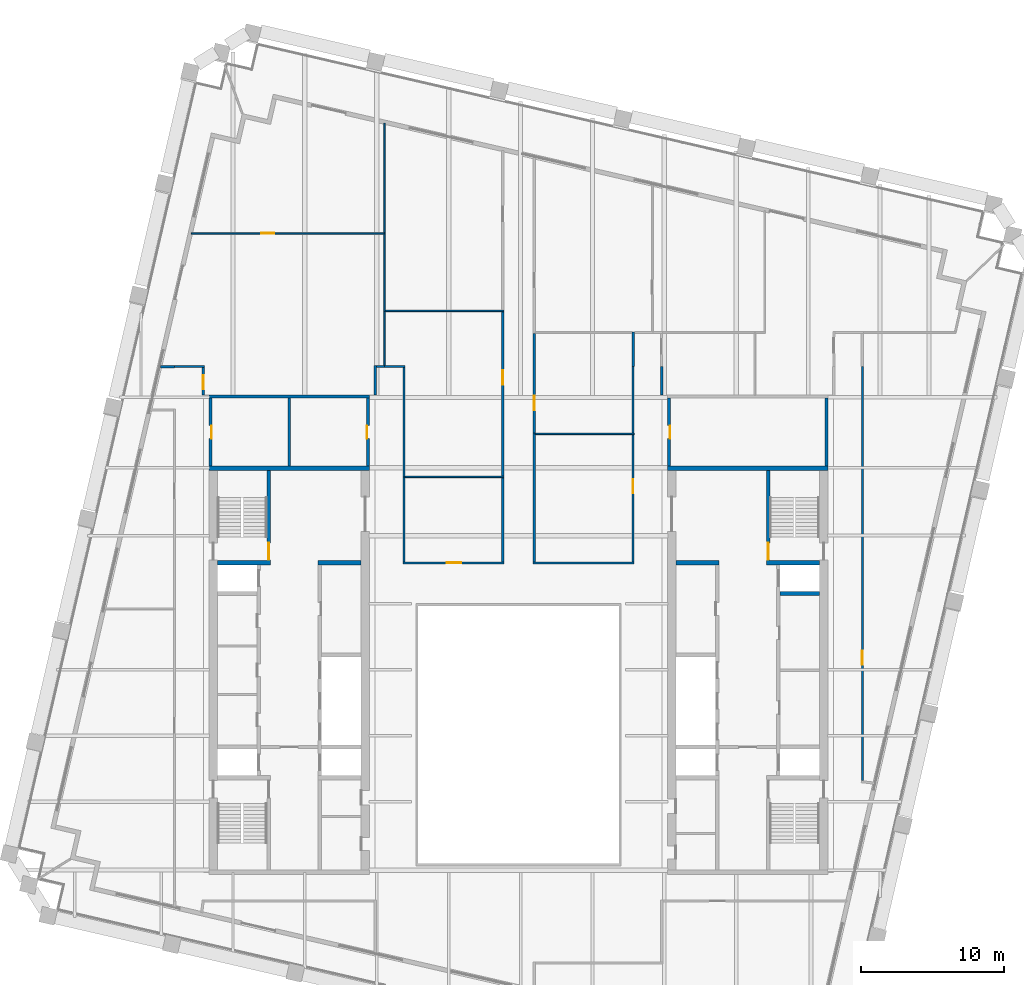
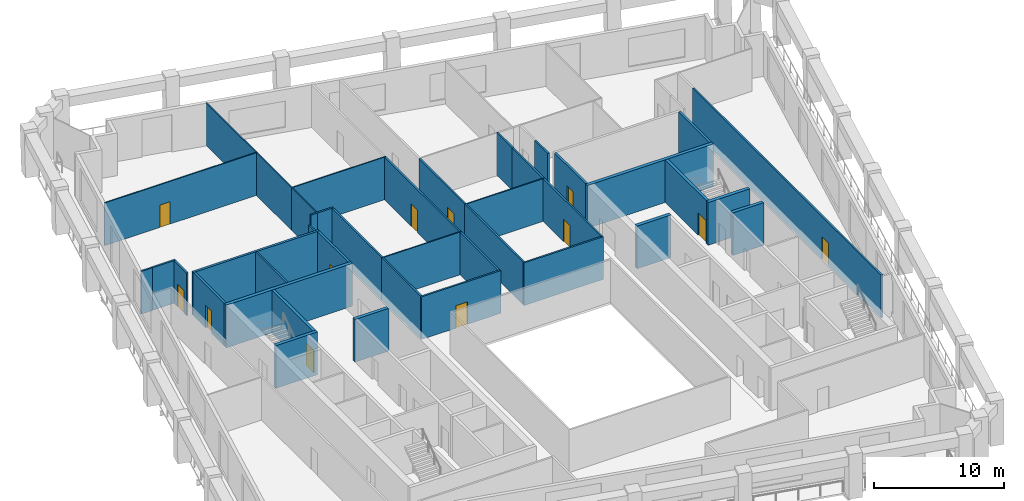
# One storey, part 7 of 10: 41 walls, 12 doors, 12 openings.
"""IFC4 building model written with IfcOpenShell, lengths in metres."""

from ifc_helpers import new_model, si_unit, direction, frame, frame_2d, origin, place, context, subcontext, project, spatial, rectangle, extrude, material, layer, layer_set, type_object, element, fill, save


model = new_model("IFC4")

# Units and contexts
model_context = context("Model", 3, precision=1e-05, world=origin(), true_north=direction((0.0, 1.0)))
body_context = subcontext(model_context, "Body", "Model", "MODEL_VIEW")
ifc_project = project(units=[si_unit("LENGTHUNIT", "METRE"), si_unit("AREAUNIT", "SQUARE_METRE"), si_unit("VOLUMEUNIT", "CUBIC_METRE"), si_unit("PLANEANGLEUNIT", "RADIAN"), si_unit("MASSUNIT", "GRAM", prefix="KILO")], contexts=[model_context])

# Site, building, storey
site_placement = place(None, origin())
site = spatial("IfcSite", under=ifc_project, at=site_placement, CompositionType="ELEMENT")
building_placement = place(site_placement, origin())
building = spatial("IfcBuilding", under=site, at=building_placement, Name="Ogive Exchange Tower", CompositionType="ELEMENT")
storey_placement = place(building_placement, frame((0.0, 0.0, 251.39990234375)))
storey = spatial("IfcBuildingStorey", under=building, at=storey_placement, Name="L54", CompositionType="ELEMENT", Elevation=251.39990234375)

# Walls
ifc_material_1 = material(Name="Gypsum board partition")
ifc_layer_1 = layer(ifc_material_1, 0.14990234375)
ifc_layer_set_1 = layer_set([ifc_layer_1], Name="Core room partition 150 gypsum")
wall_type_1 = type_object("IfcWallType", Name="Core room partition 150 gypsum", PredefinedType="PARTITIONING", material=ifc_layer_set_1)
wall_1_placement = place(storey_placement, frame((-16.0, 25.75, 0.0), z_axis=(0.0, 0.0, 1.0), x_axis=(0.0, 1.0, 0.0)))
element("IfcWall", 1, at=wall_1_placement, inside=storey, type_object=wall_type_1, Name="W annex N column wall", PredefinedType="PARTITIONING", context=body_context, shape_type="SweptSolid", body=[
    extrude(rectangle(XDim=4.75, YDim=0.14990234375, at=frame_2d((2.375, 0.0))), origin(), (0.0, 0.0, 1.0), 4.0),
])
ifc_layer_2 = layer(ifc_material_1, 0.300048828125)
ifc_layer_set_2 = layer_set([ifc_layer_2], Name="Core room partition 300 gypsum")
wall_type_2 = type_object("IfcWallType", Name="Core room partition 300 gypsum", PredefinedType="PARTITIONING", material=ifc_layer_set_2)
for number, where, z_axis, x_axis, name in (
    (2, (-14.0, 19.0, 0.0), (0.0, 0.0, 1.0), (1.0, 0.0, 0.0), "W row B room end wall 7"),
    (3, (11.0, 19.0, 0.0), (0.0, 0.0, 1.0), (1.0, 0.0, 0.0), "E row B room end wall 7"),
):
    element("IfcWall", number, at=place(storey_placement, frame(where, z_axis=z_axis, x_axis=x_axis)), inside=storey, type_object=wall_type_2, Name=name, PredefinedType="PARTITIONING", context=body_context, shape_type="SweptSolid", body=[
        extrude(rectangle(XDim=3.0, YDim=0.300048828125, at=frame_2d((1.5, 0.0))), origin(), (0.0, 0.0, 1.0), 4.0),
    ])
ifc_material_2 = material(Name="Fire partition EI 60 150")
ifc_layer_3 = layer(ifc_material_2, 0.14990234375)
ifc_layer_set_3 = layer_set([ifc_layer_3], Name="Fire partition EI 60 150")
wall_type_3 = type_object("IfcWallType", Name="Fire partition EI 60 150", PredefinedType="PARTITIONING", material=ifc_layer_set_3)
wall_2_placement = place(storey_placement, frame((-24.97900390625, 32.68994140625, 0.0), z_axis=(0.0, 0.0, 1.0), x_axis=(1.0, 0.0, 0.0)))
element("IfcWall", 4, at=wall_2_placement, inside=storey, type_object=wall_type_3, Name="L54-PWL-001", PredefinedType="PARTITIONING", context=body_context, shape_type="SweptSolid", body=[
    extrude(rectangle(XDim=0.97900390625, YDim=0.14990234375, at=frame_2d((0.489501953125, 0.0))), origin(), (0.0, 0.0, 1.0), 4.0),
])
wall_3_placement = place(storey_placement, frame((-24.0, 32.699951171875, 0.0), z_axis=(0.0, 0.0, 1.0), x_axis=(1.0, 0.0, 0.0)))
element("IfcWall", 5, at=wall_3_placement, inside=storey, type_object=wall_type_3, Name="L54-PWL-006", PredefinedType="PARTITIONING", context=body_context, shape_type="SweptSolid", body=[
    extrude(rectangle(XDim=2.074951171875, YDim=0.14990234375, at=frame_2d((1.03759765625, 0.0))), origin(), (0.0, 0.0, 1.0), 4.0),
])

# Wall, opening, door
wall_4_placement = place(storey_placement, frame((-22.0, 32.625, 0.0), z_axis=(0.0, 0.0, 1.0), x_axis=(0.0, -1.0, 0.0)))
wall_4 = element("IfcWall", 6, at=wall_4_placement, inside=storey, type_object=wall_type_3, Name="L54-PWL-010", PredefinedType="PARTITIONING", context=body_context, shape_type="SweptSolid", body=[
    extrude(rectangle(XDim=1.925048828125, YDim=0.14990234375, at=frame_2d((0.96240234375, 0.0))), origin(), (0.0, 0.0, 1.0), 4.0),
])
opening_1_placement = place(wall_4_placement, frame((0.52490234375, 0.0, 0.0)))
opening_1 = element("IfcOpeningElement", 7, at=opening_1_placement, cuts=wall_4, Name="Opening L54-I05", PredefinedType="OPENING", context=body_context, shape_type="SweptSolid", body=[
    extrude(rectangle(XDim=1.0, YDim=2.10009765625, at=frame_2d((0.5, 1.050048828125))), frame((0.0, 0.0849609375, 0.0), z_axis=(0.0, -1.0, 0.0), x_axis=(1.0, 0.0, 0.0)), (0.0, 0.0, 1.0), 0.169921875),
])
ifc_material_3 = material(Name="Fire door FD 30S 1000 x 2100")
door_type_1 = type_object("IfcDoorType", Name="Fire door FD 30S 1000 x 2100", OperationType="NOTDEFINED", PredefinedType="DOOR", material=ifc_material_3)
door_1_placement = place(opening_1_placement, origin())
door_1 = element("IfcDoor", 8, at=door_1_placement, inside=storey, type_object=door_type_1, Name="L54-IDR-005", ObjectType="DT3", OperationType="SINGLE_SWING_LEFT", OverallHeight=2.10009765625, OverallWidth=1.0, PredefinedType="DOOR", context=body_context, shape_type="SweptSolid", body=[
    extrude(rectangle(XDim=1.0, YDim=2.10009765625, at=frame_2d((0.5, 1.050048828125))), frame((0.0, 0.02490234375, 0.0), z_axis=(0.0, -1.0, 0.0), x_axis=(1.0, 0.0, 0.0)), (0.0, 0.0, 1.0), 0.050048828125),
])
fill(opening_1, door_1)

# Walls
wall_5_placement = place(storey_placement, frame((-10.0, 30.699951171875, 0.0), z_axis=(0.0, 0.0, 1.0), x_axis=(0.0, 1.0, 0.0)))
element("IfcWall", 9, at=wall_5_placement, inside=storey, type_object=wall_type_3, Name="L54-PWL-013", PredefinedType="PARTITIONING", context=body_context, shape_type="SweptSolid", body=[
    extrude(rectangle(XDim=2.074951171875, YDim=0.14990234375, at=frame_2d((1.03759765625, 0.0))), origin(), (0.0, 0.0, 1.0), 3.02001953125),
])
wall_6_placement = place(storey_placement, frame((-9.925048828125, 32.699951171875, 0.0), z_axis=(0.0, 0.0, 1.0), x_axis=(1.0, 0.0, 0.0)))
element("IfcWall", 10, at=wall_6_placement, inside=storey, type_object=wall_type_3, Name="L54-PWL-014", PredefinedType="PARTITIONING", context=body_context, shape_type="SweptSolid", body=[
    extrude(rectangle(XDim=0.5849609375, YDim=0.14990234375, at=frame_2d((0.29248046875, 0.0))), origin(), (0.0, 0.0, 1.0), 4.0),
])
wall_7_placement = place(storey_placement, frame((-9.340087890625, 32.699951171875, 0.0), z_axis=(0.0, 0.0, 1.0), x_axis=(1.0, 0.0, 0.0)))
element("IfcWall", 11, at=wall_7_placement, inside=storey, type_object=wall_type_3, Name="L54-PWL-016", PredefinedType="PARTITIONING", context=body_context, shape_type="SweptSolid", body=[
    extrude(rectangle(XDim=1.4150390625, YDim=0.14990234375, at=frame_2d((0.70751953125, 0.0))), origin(), (0.0, 0.0, 1.0), 4.0),
])

# Wall, opening, door
wall_8_placement = place(storey_placement, frame((-8.074951171875, 19.0, 0.0), z_axis=(0.0, 0.0, 1.0), x_axis=(1.0, 0.0, 0.0)))
wall_8 = element("IfcWall", 12, at=wall_8_placement, inside=storey, type_object=wall_type_3, Name="L54-PWL-020", PredefinedType="PARTITIONING", context=body_context, shape_type="SweptSolid", body=[
    extrude(rectangle(XDim=7.050048828125, YDim=0.14990234375, at=frame_2d((3.52490234375, 0.0))), origin(), (0.0, 0.0, 1.0), 4.0),
])
opening_2_placement = place(wall_8_placement, frame((3.074951171875, 0.0, 0.0)))
opening_2 = element("IfcOpeningElement", 13, at=opening_2_placement, cuts=wall_8, Name="Opening L54-I01", PredefinedType="OPENING", context=body_context, shape_type="SweptSolid", body=[
    extrude(rectangle(XDim=1.0, YDim=2.10009765625, at=frame_2d((0.5, 1.050048828125))), frame((0.0, 0.0849609375, 0.0), z_axis=(0.0, -1.0, 0.0), x_axis=(1.0, 0.0, 0.0)), (0.0, 0.0, 1.0), 0.169921875),
])
door_2_placement = place(opening_2_placement, origin())
door_2 = element("IfcDoor", 14, at=door_2_placement, inside=storey, type_object=door_type_1, Name="L54-IDR-001", ObjectType="DT3", OperationType="SINGLE_SWING_RIGHT", OverallHeight=2.10009765625, OverallWidth=1.0, PredefinedType="DOOR", context=body_context, shape_type="SweptSolid", body=[
    extrude(rectangle(XDim=1.0, YDim=2.10009765625, at=frame_2d((0.5, 1.050048828125))), frame((0.0, 0.02490234375, 0.0), z_axis=(0.0, -1.0, 0.0), x_axis=(1.0, 0.0, 0.0)), (0.0, 0.0, 1.0), 0.050048828125),
])
fill(opening_2, door_2)

# Walls
wall_9_placement = place(storey_placement, frame((-8.0, 25.0, 0.0), z_axis=(0.0, 0.0, 1.0), x_axis=(0.0, -1.0, 0.0)))
element("IfcWall", 15, at=wall_9_placement, inside=storey, type_object=wall_type_3, Name="L54-PWL-021", PredefinedType="PARTITIONING", context=body_context, shape_type="SweptSolid", body=[
    extrude(rectangle(XDim=5.925048828125, YDim=0.14990234375, at=frame_2d((2.96240234375, 0.0))), origin(), (0.0, 0.0, 1.0), 4.0),
])
wall_10_placement = place(storey_placement, frame((-8.0, 32.625, 0.0), z_axis=(0.0, 0.0, 1.0), x_axis=(0.0, -1.0, 0.0)))
element("IfcWall", 16, at=wall_10_placement, inside=storey, type_object=wall_type_3, Name="L54-PWL-023", PredefinedType="PARTITIONING", context=body_context, shape_type="SweptSolid", body=[
    extrude(rectangle(XDim=7.625, YDim=0.14990234375, at=frame_2d((3.8125, 0.0))), origin(), (0.0, 0.0, 1.0), 4.0),
])
wall_11_placement = place(storey_placement, frame((-1.10009765625, 19.074951171875, 0.0), z_axis=(0.0, 0.0, 1.0), x_axis=(0.0, 1.0, 0.0)))
element("IfcWall", 17, at=wall_11_placement, inside=storey, type_object=wall_type_3, Name="L54-PWL-024", PredefinedType="PARTITIONING", context=body_context, shape_type="SweptSolid", body=[
    extrude(rectangle(XDim=5.875, YDim=0.14990234375, at=frame_2d((2.9375, 0.0))), origin(), (0.0, 0.0, 1.0), 4.0),
])

# Wall, opening, door
wall_12_placement = place(storey_placement, frame((-1.10009765625, 25.050048828125, 0.0), z_axis=(0.0, 0.0, 1.0), x_axis=(0.0, 1.0, 0.0)))
wall_12 = element("IfcWall", 18, at=wall_12_placement, inside=storey, type_object=wall_type_3, Name="L54-PWL-025", PredefinedType="PARTITIONING", context=body_context, shape_type="SweptSolid", body=[
    extrude(rectangle(XDim=11.489990234375, YDim=0.14990234375, at=frame_2d((5.7451171875, 0.0))), origin(), (0.0, 0.0, 1.0), 4.0),
])
opening_3_placement = place(wall_12_placement, frame((6.389892578125, 0.0, 0.0)))
opening_3 = element("IfcOpeningElement", 19, at=opening_3_placement, cuts=wall_12, Name="Opening L54-I02", PredefinedType="OPENING", context=body_context, shape_type="SweptSolid", body=[
    extrude(rectangle(XDim=1.0, YDim=2.10009765625, at=frame_2d((0.5, 1.050048828125))), frame((0.0, 0.0849609375, 0.0), z_axis=(0.0, -1.0, 0.0), x_axis=(1.0, 0.0, 0.0)), (0.0, 0.0, 1.0), 0.169921875),
])
door_3_placement = place(opening_3_placement, origin())
door_3 = element("IfcDoor", 20, at=door_3_placement, inside=storey, type_object=door_type_1, Name="L54-IDR-002", ObjectType="DT3", OperationType="SINGLE_SWING_RIGHT", OverallHeight=2.10009765625, OverallWidth=1.0, PredefinedType="DOOR", context=body_context, shape_type="SweptSolid", body=[
    extrude(rectangle(XDim=1.0, YDim=2.10009765625, at=frame_2d((0.5, 1.050048828125))), frame((0.0, 0.02490234375, 0.0), z_axis=(0.0, -1.0, 0.0), x_axis=(1.0, 0.0, 0.0)), (0.0, 0.0, 1.0), 0.050048828125),
])
fill(opening_3, door_3)

# Walls
wall_13_placement = place(storey_placement, frame((1.02490234375, 19.0, 0.0), z_axis=(0.0, 0.0, 1.0), x_axis=(1.0, 0.0, 0.0)))
element("IfcWall", 21, at=wall_13_placement, inside=storey, type_object=wall_type_3, Name="L54-PWL-028", PredefinedType="PARTITIONING", context=body_context, shape_type="SweptSolid", body=[
    extrude(rectangle(XDim=7.050048828125, YDim=0.14990234375, at=frame_2d((3.52490234375, 0.0))), origin(), (0.0, 0.0, 1.0), 4.0),
])
wall_14_placement = place(storey_placement, frame((1.10009765625, 28.050048828125, 0.0), z_axis=(0.0, 0.0, 1.0), x_axis=(0.0, -1.0, 0.0)))
element("IfcWall", 22, at=wall_14_placement, inside=storey, type_object=wall_type_3, Name="L54-PWL-029", PredefinedType="PARTITIONING", context=body_context, shape_type="SweptSolid", body=[
    extrude(rectangle(XDim=8.97509765625, YDim=0.14990234375, at=frame_2d((4.487548828125, 0.0))), origin(), (0.0, 0.0, 1.0), 4.0),
])

# Wall, opening, door
wall_15_placement = place(storey_placement, frame((1.10009765625, 35.02001953125, 0.0), z_axis=(0.0, 0.0, 1.0), x_axis=(0.0, -1.0, 0.0)))
wall_15 = element("IfcWall", 23, at=wall_15_placement, inside=storey, type_object=wall_type_3, Name="L54-PWL-031", PredefinedType="PARTITIONING", context=body_context, shape_type="SweptSolid", body=[
    extrude(rectangle(XDim=6.969970703125, YDim=0.14990234375, at=frame_2d((3.48486328125, 0.0))), origin(), (0.0, 0.0, 1.0), 4.0),
])
opening_4_placement = place(wall_15_placement, frame((4.3701171875, 0.0, 0.0)))
opening_4 = element("IfcOpeningElement", 24, at=opening_4_placement, cuts=wall_15, Name="Opening L54-I10", PredefinedType="OPENING", context=body_context, shape_type="SweptSolid", body=[
    extrude(rectangle(XDim=1.0, YDim=2.10009765625, at=frame_2d((0.5, 1.050048828125))), frame((0.0, 0.0849609375, 0.0), z_axis=(0.0, -1.0, 0.0), x_axis=(1.0, 0.0, 0.0)), (0.0, 0.0, 1.0), 0.169921875),
])
door_4_placement = place(opening_4_placement, origin())
door_4 = element("IfcDoor", 25, at=door_4_placement, inside=storey, type_object=door_type_1, Name="L54-IDR-010", ObjectType="DT3", OperationType="SINGLE_SWING_LEFT", OverallHeight=2.10009765625, OverallWidth=1.0, PredefinedType="DOOR", context=body_context, shape_type="SweptSolid", body=[
    extrude(rectangle(XDim=1.0, YDim=2.10009765625, at=frame_2d((0.5, 1.050048828125))), frame((0.0, 0.02490234375, 0.0), z_axis=(0.0, -1.0, 0.0), x_axis=(1.0, 0.0, 0.0)), (0.0, 0.0, 1.0), 0.050048828125),
])
fill(opening_4, door_4)

wall_16_placement = place(storey_placement, frame((8.0, 19.074951171875, 0.0), z_axis=(0.0, 0.0, 1.0), x_axis=(0.0, 1.0, 0.0)))
wall_16 = element("IfcWall", 26, at=wall_16_placement, inside=storey, type_object=wall_type_3, Name="L54-PWL-033", PredefinedType="PARTITIONING", context=body_context, shape_type="SweptSolid", body=[
    extrude(rectangle(XDim=8.875, YDim=0.14990234375, at=frame_2d((4.4375, 0.0))), origin(), (0.0, 0.0, 1.0), 4.0),
])
opening_5_placement = place(wall_16_placement, frame((4.77490234375, 0.0, 0.0)))
opening_5 = element("IfcOpeningElement", 27, at=opening_5_placement, cuts=wall_16, Name="Opening L54-I08", PredefinedType="OPENING", context=body_context, shape_type="SweptSolid", body=[
    extrude(rectangle(XDim=1.0, YDim=2.10009765625, at=frame_2d((0.5, 1.050048828125))), frame((0.0, 0.0849609375, 0.0), z_axis=(0.0, -1.0, 0.0), x_axis=(1.0, 0.0, 0.0)), (0.0, 0.0, 1.0), 0.169921875),
])
door_5_placement = place(opening_5_placement, origin())
door_5 = element("IfcDoor", 28, at=door_5_placement, inside=storey, type_object=door_type_1, Name="L54-IDR-008", ObjectType="DT3", OperationType="SINGLE_SWING_LEFT", OverallHeight=2.10009765625, OverallWidth=1.0, PredefinedType="DOOR", context=body_context, shape_type="SweptSolid", body=[
    extrude(rectangle(XDim=1.0, YDim=2.10009765625, at=frame_2d((0.5, 1.050048828125))), frame((0.0, 0.02490234375, 0.0), z_axis=(0.0, -1.0, 0.0), x_axis=(1.0, 0.0, 0.0)), (0.0, 0.0, 1.0), 0.050048828125),
])
fill(opening_5, door_5)

# Walls
wall_17_placement = place(storey_placement, frame((8.0, 28.050048828125, 0.0), z_axis=(0.0, 0.0, 1.0), x_axis=(0.0, 1.0, 0.0)))
element("IfcWall", 29, at=wall_17_placement, inside=storey, type_object=wall_type_3, Name="L54-PWL-034", PredefinedType="PARTITIONING", context=body_context, shape_type="SweptSolid", body=[
    extrude(rectangle(XDim=4.64990234375, YDim=0.14990234375, at=frame_2d((2.324951171875, 0.0))), origin(), (0.0, 0.0, 1.0), 4.0),
])
wall_18_placement = place(storey_placement, frame((8.010009765625, 32.699951171875, 0.0), z_axis=(0.0, 0.0, 1.0), x_axis=(0.0, 1.0, 0.0)))
element("IfcWall", 30, at=wall_18_placement, inside=storey, type_object=wall_type_3, Name="L54-PWL-035", PredefinedType="PARTITIONING", context=body_context, shape_type="SweptSolid", body=[
    extrude(rectangle(XDim=2.420166015625, YDim=0.14990234375, at=frame_2d((1.2099609375, 0.0))), origin(), (0.0, 0.0, 1.0), 4.0),
])
wall_19_placement = place(storey_placement, frame((10.0, 32.699951171875, 0.0), z_axis=(0.0, 0.0, 1.0), x_axis=(0.0, -1.0, 0.0)))
element("IfcWall", 31, at=wall_19_placement, inside=storey, type_object=wall_type_3, Name="L54-PWL-044", PredefinedType="PARTITIONING", context=body_context, shape_type="SweptSolid", body=[
    extrude(rectangle(XDim=2.0, YDim=0.14990234375, at=frame_2d((1.0, 0.0))), origin(), (0.0, 0.0, 1.0), 4.0),
])

# Wall, opening, door
wall_20_placement = place(storey_placement, frame((24.0, 32.699951171875, 0.0), z_axis=(0.0, 0.0, 1.0), x_axis=(0.0, -1.0, 0.0)))
wall_20 = element("IfcWall", 32, at=wall_20_placement, inside=storey, type_object=wall_type_3, Name="L54-PWL-055", PredefinedType="PARTITIONING", context=body_context, shape_type="SweptSolid", body=[
    extrude(rectangle(XDim=28.905029296875, YDim=0.14990234375, at=frame_2d((14.45263671875, 0.0))), origin(), (0.0, 0.0, 1.0), 4.0),
])
opening_6_placement = place(wall_20_placement, frame((19.830078125, 0.0, 0.0)))
opening_6 = element("IfcOpeningElement", 33, at=opening_6_placement, cuts=wall_20, Name="Opening L54-I12", PredefinedType="OPENING", context=body_context, shape_type="SweptSolid", body=[
    extrude(rectangle(XDim=1.0, YDim=2.10009765625, at=frame_2d((0.5, 1.050048828125))), frame((0.0, 0.0849609375, 0.0), z_axis=(0.0, -1.0, 0.0), x_axis=(1.0, 0.0, 0.0)), (0.0, 0.0, 1.0), 0.169921875),
])
door_6_placement = place(opening_6_placement, origin())
door_6 = element("IfcDoor", 34, at=door_6_placement, inside=storey, type_object=door_type_1, Name="L54-IDR-012", ObjectType="DT3", OperationType="SINGLE_SWING_LEFT", OverallHeight=2.10009765625, OverallWidth=1.0, PredefinedType="DOOR", context=body_context, shape_type="SweptSolid", body=[
    extrude(rectangle(XDim=1.0, YDim=2.10009765625, at=frame_2d((0.5, 1.050048828125))), frame((0.0, 0.02490234375, 0.0), z_axis=(0.0, -1.0, 0.0), x_axis=(1.0, 0.0, 0.0)), (0.0, 0.0, 1.0), 0.050048828125),
])
fill(opening_6, door_6)

ifc_material_4 = material(Name="Partition 100 gypsum")
ifc_layer_4 = layer(ifc_material_4, 0.10009765625)
ifc_layer_set_4 = layer_set([ifc_layer_4], Name="Partition 100 gypsum")
wall_type_4 = type_object("IfcWallType", Name="Partition 100 gypsum", PredefinedType="PARTITIONING", material=ifc_layer_set_4)
wall_21_placement = place(storey_placement, frame((-22.8291015625, 42.0, 0.0), z_axis=(0.0, 0.0, 1.0), x_axis=(1.0, 0.0, 0.0)))
wall_21 = element("IfcWall", 35, at=wall_21_placement, inside=storey, type_object=wall_type_4, Name="L54-PWL-008", PredefinedType="PARTITIONING", context=body_context, shape_type="SweptSolid", body=[
    extrude(rectangle(XDim=13.5390625, YDim=0.10009765625, at=frame_2d((6.76953125, 0.0))), origin(), (0.0, 0.0, 1.0), 4.0),
])
opening_7_placement = place(wall_21_placement, frame((4.888916015625, 0.0, 0.0)))
opening_7 = element("IfcOpeningElement", 36, at=opening_7_placement, cuts=wall_21, Name="Opening L54-I06", PredefinedType="OPENING", context=body_context, shape_type="SweptSolid", body=[
    extrude(rectangle(XDim=0.89990234375, YDim=2.10009765625, at=frame_2d((0.449951171875, 1.050048828125))), frame((0.0, 0.06005859375, 0.0), z_axis=(0.0, -1.0, 0.0), x_axis=(1.0, 0.0, 0.0)), (0.0, 0.0, 1.0), 0.1201171875),
])
ifc_material_5 = material(Name="Door 900 x 2100")
door_type_2 = type_object("IfcDoorType", Name="Door 900 x 2100", OperationType="NOTDEFINED", PredefinedType="DOOR", material=ifc_material_5)
door_7_placement = place(opening_7_placement, origin())
door_7 = element("IfcDoor", 37, at=door_7_placement, inside=storey, type_object=door_type_2, Name="L54-IDR-006", ObjectType="DT1", OperationType="SINGLE_SWING_LEFT", OverallHeight=2.10009765625, OverallWidth=0.89990234375, PredefinedType="DOOR", context=body_context, shape_type="SweptSolid", body=[
    extrude(rectangle(XDim=0.89990234375, YDim=2.10009765625, at=frame_2d((0.449951171875, 1.050048828125))), frame((0.0, 0.02490234375, 0.0), z_axis=(0.0, -1.0, 0.0), x_axis=(1.0, 0.0, 0.0)), (0.0, 0.0, 1.0), 0.050048828125),
])
fill(opening_7, door_7)

# Walls
wall_22_placement = place(storey_placement, frame((-9.340087890625, 32.77490234375, 0.0), z_axis=(0.0, 0.0, 1.0), x_axis=(0.0, 1.0, 0.0)))
element("IfcWall", 38, at=wall_22_placement, inside=storey, type_object=wall_type_4, Name="L54-PWL-015", PredefinedType="PARTITIONING", context=body_context, shape_type="SweptSolid", body=[
    extrude(rectangle(XDim=3.76513671875, YDim=0.10009765625, at=frame_2d((1.882568359375, 0.0))), origin(), (0.0, 0.0, 1.0), 4.0),
])
wall_23_placement = place(storey_placement, frame((-9.340087890625, 36.5400390625, 0.0), z_axis=(0.0, 0.0, 1.0), x_axis=(0.0, 1.0, 0.0)))
element("IfcWall", 39, at=wall_23_placement, inside=storey, type_object=wall_type_4, Name="L54-PWL-017", PredefinedType="PARTITIONING", context=body_context, shape_type="SweptSolid", body=[
    extrude(rectangle(XDim=5.409912109375, YDim=0.10009765625, at=frame_2d((2.705078125, 0.0))), origin(), (0.0, 0.0, 1.0), 4.0),
])
wall_24_placement = place(storey_placement, frame((-9.2900390625, 36.590087890625, 0.0), z_axis=(0.0, 0.0, 1.0), x_axis=(1.0, 0.0, 0.0)))
element("IfcWall", 40, at=wall_24_placement, inside=storey, type_object=wall_type_4, Name="L54-PWL-018", PredefinedType="PARTITIONING", context=body_context, shape_type="SweptSolid", body=[
    extrude(rectangle(XDim=8.26513671875, YDim=0.10009765625, at=frame_2d((4.132568359375, 0.0))), origin(), (0.0, 0.0, 1.0), 4.0),
])
wall_25_placement = place(storey_placement, frame((-9.340087890625, 42.050048828125, 0.0), z_axis=(0.0, 0.0, 1.0), x_axis=(0.0, 1.0, 0.0)))
element("IfcWall", 41, at=wall_25_placement, inside=storey, type_object=wall_type_4, Name="L54-PWL-019", PredefinedType="PARTITIONING", context=body_context, shape_type="SweptSolid", body=[
    extrude(rectangle(XDim=7.630859375, YDim=0.10009765625, at=frame_2d((3.8154296875, 0.0))), origin(), (0.0, 0.0, 1.0), 4.0),
])
wall_26_placement = place(storey_placement, frame((-7.925048828125, 25.0, 0.0), z_axis=(0.0, 0.0, 1.0), x_axis=(1.0, 0.0, 0.0)))
element("IfcWall", 42, at=wall_26_placement, inside=storey, type_object=wall_type_4, Name="L54-PWL-022", PredefinedType="PARTITIONING", context=body_context, shape_type="SweptSolid", body=[
    extrude(rectangle(XDim=6.900146484375, YDim=0.10009765625, at=frame_2d((3.4501953125, 0.0))), origin(), (0.0, 0.0, 1.0), 4.0),
])
wall_27_placement = place(storey_placement, frame((1.175048828125, 28.0, 0.0), z_axis=(0.0, 0.0, 1.0), x_axis=(1.0, 0.0, 0.0)))
element("IfcWall", 43, at=wall_27_placement, inside=storey, type_object=wall_type_4, Name="L54-PWL-030", PredefinedType="PARTITIONING", context=body_context, shape_type="SweptSolid", body=[
    extrude(rectangle(XDim=6.89990234375, YDim=0.10009765625, at=frame_2d((3.449951171875, 0.0))), origin(), (0.0, 0.0, 1.0), 4.0),
])

# Wall, opening, door
ifc_material_6 = material(Name="Concrete C70/85", Category="concrete")
ifc_layer_5 = layer(ifc_material_6, 0.199951171875)
ifc_layer_set_5 = layer_set([ifc_layer_5], Name="RC core wall 200 C70/85")
wall_type_5 = type_object("IfcWallType", Name="RC core wall 200 C70/85", PredefinedType="SHEAR", material=ifc_layer_set_5)
wall_28_placement = place(storey_placement, frame((-21.5, 25.75, 0.0), z_axis=(0.0, 0.0, 1.0), x_axis=(0.0, 1.0, 0.0)))
wall_28 = element("IfcWall", 44, at=wall_28_placement, inside=storey, type_object=wall_type_5, Name="W annex N outer wall", PredefinedType="SHEAR", context=body_context, shape_type="SweptSolid", body=[
    extrude(rectangle(XDim=4.75, YDim=0.199951171875, at=frame_2d((2.375, 0.0))), origin(), (0.0, 0.0, 1.0), 4.0),
])
opening_8_placement = place(wall_28_placement, frame((1.925048828125, 0.0, 0.0)))
opening_8 = element("IfcOpeningElement", 45, at=opening_8_placement, cuts=wall_28, Name="Opening L54-C19", PredefinedType="OPENING", context=body_context, shape_type="SweptSolid", body=[
    extrude(rectangle(XDim=0.89990234375, YDim=2.10009765625, at=frame_2d((0.449951171875, 1.050048828125))), frame((0.0, 0.10986328125, 0.0), z_axis=(0.0, -1.0, 0.0), x_axis=(1.0, 0.0, 0.0)), (0.0, 0.0, 1.0), 0.219970703125),
])
ifc_material_7 = material(Name="Steel fire door", Category="steel")
door_type_3 = type_object("IfcDoorType", Name="Riser door FD60 900 x 2100", OperationType="NOTDEFINED", PredefinedType="DOOR", material=ifc_material_7)
door_8_placement = place(opening_8_placement, origin())
door_8 = element("IfcDoor", 46, at=door_8_placement, inside=storey, type_object=door_type_3, Name="Riser door", ObjectType="CD2", OperationType="SINGLE_SWING_LEFT", OverallHeight=2.10009765625, OverallWidth=0.89990234375, PredefinedType="DOOR", context=body_context, shape_type="SweptSolid", body=[
    extrude(rectangle(XDim=0.89990234375, YDim=2.10009765625, at=frame_2d((0.449951171875, 1.050048828125))), frame((0.0, -0.0498046875, 0.0), z_axis=(0.0, -1.0, 0.0), x_axis=(1.0, 0.0, 0.0)), (0.0, 0.0, 1.0), 0.050048828125),
])
fill(opening_8, door_8)

wall_29_placement = place(storey_placement, frame((-10.5, 25.75, 0.0), z_axis=(0.0, 0.0, 1.0), x_axis=(0.0, 1.0, 0.0)))
wall_29 = element("IfcWall", 47, at=wall_29_placement, inside=storey, type_object=wall_type_5, Name="W annex N inner wall", PredefinedType="SHEAR", context=body_context, shape_type="SweptSolid", body=[
    extrude(rectangle(XDim=4.75, YDim=0.199951171875, at=frame_2d((2.375, 0.0))), origin(), (0.0, 0.0, 1.0), 4.0),
])
opening_9_placement = place(wall_29_placement, frame((1.925048828125, 0.0, 0.0)))
opening_9 = element("IfcOpeningElement", 48, at=opening_9_placement, cuts=wall_29, Name="Opening L54-C20", PredefinedType="OPENING", context=body_context, shape_type="SweptSolid", body=[
    extrude(rectangle(XDim=0.89990234375, YDim=2.10009765625, at=frame_2d((0.449951171875, 1.050048828125))), frame((0.0, 0.10986328125, 0.0), z_axis=(0.0, -1.0, 0.0), x_axis=(1.0, 0.0, 0.0)), (0.0, 0.0, 1.0), 0.219970703125),
])
ifc_material_8 = material(Name="Timber fire door", Category="wood")
door_type_4 = type_object("IfcDoorType", Name="Core room door FD30S 900 x 2100", OperationType="NOTDEFINED", PredefinedType="DOOR", material=ifc_material_8)
door_9_placement = place(opening_9_placement, frame((0.89990234375, 0.14990234375, 0.0), z_axis=(0.0, 0.0, 1.0), x_axis=(-1.0, 0.0, 0.0)))
door_9 = element("IfcDoor", 49, at=door_9_placement, inside=storey, type_object=door_type_4, Name="Core room door", ObjectType="CD6", OperationType="SINGLE_SWING_LEFT", OverallHeight=2.10009765625, OverallWidth=0.89990234375, PredefinedType="DOOR", context=body_context, shape_type="SweptSolid", body=[
    extrude(rectangle(XDim=0.89990234375, YDim=2.10009765625, at=frame_2d((0.449951171875, 1.050048828125))), frame((0.0, 0.10009765625, 0.0), z_axis=(0.0, -1.0, 0.0), x_axis=(1.0, 0.0, 0.0)), (0.0, 0.0, 1.0), 0.050048828125),
])
fill(opening_9, door_9)

# Walls
wall_30_placement = place(storey_placement, frame((-21.60009765625, 30.60009765625, 0.0), z_axis=(0.0, 0.0, 1.0), x_axis=(1.0, 0.0, 0.0)))
element("IfcWall", 50, at=wall_30_placement, inside=storey, type_object=wall_type_5, Name="W annex N end wall", PredefinedType="SHEAR", context=body_context, shape_type="SweptSolid", body=[
    extrude(rectangle(XDim=11.2001953125, YDim=0.199951171875, at=frame_2d((5.60009765625, 0.0))), origin(), (0.0, 0.0, 1.0), 4.0),
])
wall_31_placement = place(storey_placement, frame((21.5, 25.75, 0.0), z_axis=(0.0, 0.0, 1.0), x_axis=(0.0, 1.0, 0.0)))
element("IfcWall", 51, at=wall_31_placement, inside=storey, type_object=wall_type_5, Name="E annex N outer wall", PredefinedType="SHEAR", context=body_context, shape_type="SweptSolid", body=[
    extrude(rectangle(XDim=4.75, YDim=0.199951171875, at=frame_2d((2.375, 0.0))), origin(), (0.0, 0.0, 1.0), 4.0),
])

# Wall, opening, door
wall_32_placement = place(storey_placement, frame((10.5, 25.75, 0.0), z_axis=(0.0, 0.0, 1.0), x_axis=(0.0, 1.0, 0.0)))
wall_32 = element("IfcWall", 52, at=wall_32_placement, inside=storey, type_object=wall_type_5, Name="E annex N inner wall", PredefinedType="SHEAR", context=body_context, shape_type="SweptSolid", body=[
    extrude(rectangle(XDim=4.75, YDim=0.199951171875, at=frame_2d((2.375, 0.0))), origin(), (0.0, 0.0, 1.0), 4.0),
])
opening_10_placement = place(wall_32_placement, frame((1.925048828125, 0.0, 0.0)))
opening_10 = element("IfcOpeningElement", 53, at=opening_10_placement, cuts=wall_32, Name="Opening L54-C38", PredefinedType="OPENING", context=body_context, shape_type="SweptSolid", body=[
    extrude(rectangle(XDim=0.89990234375, YDim=2.10009765625, at=frame_2d((0.449951171875, 1.050048828125))), frame((0.0, 0.10986328125, 0.0), z_axis=(0.0, -1.0, 0.0), x_axis=(1.0, 0.0, 0.0)), (0.0, 0.0, 1.0), 0.219970703125),
])
door_10_placement = place(opening_10_placement, origin())
door_10 = element("IfcDoor", 54, at=door_10_placement, inside=storey, type_object=door_type_4, Name="Core room door", ObjectType="CD6", OperationType="SINGLE_SWING_LEFT", OverallHeight=2.10009765625, OverallWidth=0.89990234375, PredefinedType="DOOR", context=body_context, shape_type="SweptSolid", body=[
    extrude(rectangle(XDim=0.89990234375, YDim=2.10009765625, at=frame_2d((0.449951171875, 1.050048828125))), frame((0.0, -0.0498046875, 0.0), z_axis=(0.0, -1.0, 0.0), x_axis=(1.0, 0.0, 0.0)), (0.0, 0.0, 1.0), 0.050048828125),
])
fill(opening_10, door_10)

ifc_layer_6 = layer(ifc_material_6, 0.25)
ifc_layer_set_6 = layer_set([ifc_layer_6], Name="RC core wall 250 C70/85")
wall_type_6 = type_object("IfcWallType", Name="RC core wall 250 C70/85", PredefinedType="SHEAR", material=ifc_layer_set_6)
wall_33_placement = place(storey_placement, frame((-17.425048828125, 19.14990234375, 0.0), z_axis=(0.0, 0.0, 1.0), x_axis=(0.0, 1.0, 0.0)))
wall_33 = element("IfcWall", 55, at=wall_33_placement, inside=storey, type_object=wall_type_6, Name="W stair N front wall", PredefinedType="SHEAR", context=body_context, shape_type="SweptSolid", body=[
    extrude(rectangle(XDim=6.300048828125, YDim=0.25, at=frame_2d((3.14990234375, 0.0))), origin(), (0.0, 0.0, 1.0), 4.0),
])
opening_11_placement = place(wall_33_placement, frame((0.050048828125, 0.0, 0.0)))
opening_11 = element("IfcOpeningElement", 56, at=opening_11_placement, cuts=wall_33, Name="Opening L54-C15", PredefinedType="OPENING", context=body_context, shape_type="SweptSolid", body=[
    extrude(rectangle(XDim=1.199951171875, YDim=2.10009765625, at=frame_2d((0.60009765625, 1.050048828125))), frame((0.0, 0.135009765625, 0.0), z_axis=(0.0, -1.0, 0.0), x_axis=(1.0, 0.0, 0.0)), (0.0, 0.0, 1.0), 0.27001953125),
])
door_type_5 = type_object("IfcDoorType", Name="Stair door FD90 1200 x 2100", OperationType="NOTDEFINED", PredefinedType="DOOR", material=ifc_material_7)
door_11_placement = place(opening_11_placement, origin())
door_11 = element("IfcDoor", 57, at=door_11_placement, inside=storey, type_object=door_type_5, Name="Stair door", ObjectType="CD5", OperationType="SINGLE_SWING_RIGHT", OverallHeight=2.10009765625, OverallWidth=1.199951171875, PredefinedType="DOOR", context=body_context, shape_type="SweptSolid", body=[
    extrude(rectangle(XDim=1.199951171875, YDim=2.10009765625, at=frame_2d((0.60009765625, 1.050048828125))), frame((0.0, 0.02490234375, 0.0), z_axis=(0.0, -1.0, 0.0), x_axis=(1.0, 0.0, 0.0)), (0.0, 0.0, 1.0), 0.050048828125),
])
fill(opening_11, door_11)

wall_34_placement = place(storey_placement, frame((17.425048828125, 19.14990234375, 0.0), z_axis=(0.0, 0.0, 1.0), x_axis=(0.0, 1.0, 0.0)))
wall_34 = element("IfcWall", 58, at=wall_34_placement, inside=storey, type_object=wall_type_6, Name="E stair N front wall", PredefinedType="SHEAR", context=body_context, shape_type="SweptSolid", body=[
    extrude(rectangle(XDim=6.300048828125, YDim=0.25, at=frame_2d((3.14990234375, 0.0))), origin(), (0.0, 0.0, 1.0), 4.0),
])
opening_12_placement = place(wall_34_placement, frame((0.050048828125, 0.0, 0.0)))
opening_12 = element("IfcOpeningElement", 59, at=opening_12_placement, cuts=wall_34, Name="Opening L54-C34", PredefinedType="OPENING", context=body_context, shape_type="SweptSolid", body=[
    extrude(rectangle(XDim=1.199951171875, YDim=2.10009765625, at=frame_2d((0.60009765625, 1.050048828125))), frame((0.0, 0.135009765625, 0.0), z_axis=(0.0, -1.0, 0.0), x_axis=(1.0, 0.0, 0.0)), (0.0, 0.0, 1.0), 0.27001953125),
])
door_12_placement = place(opening_12_placement, frame((1.199951171875, 0.0, 0.0), z_axis=(0.0, 0.0, 1.0), x_axis=(-1.0, 0.0, 0.0)))
door_12 = element("IfcDoor", 60, at=door_12_placement, inside=storey, type_object=door_type_5, Name="Stair door", ObjectType="CD5", OperationType="SINGLE_SWING_LEFT", OverallHeight=2.10009765625, OverallWidth=1.199951171875, PredefinedType="DOOR", context=body_context, shape_type="SweptSolid", body=[
    extrude(rectangle(XDim=1.199951171875, YDim=2.10009765625, at=frame_2d((0.60009765625, 1.050048828125))), frame((0.0, 0.02490234375, 0.0), z_axis=(0.0, -1.0, 0.0), x_axis=(1.0, 0.0, 0.0)), (0.0, 0.0, 1.0), 0.050048828125),
])
fill(opening_12, door_12)

# Walls
ifc_layer_7 = layer(ifc_material_6, 0.300048828125)
ifc_layer_set_7 = layer_set([ifc_layer_7], Name="RC core wall 300 C70/85")
wall_type_7 = type_object("IfcWallType", Name="RC core wall 300 C70/85", PredefinedType="SHEAR", material=ifc_layer_set_7)
wall_35_placement = place(storey_placement, frame((-21.60009765625, 25.60009765625, 0.0), z_axis=(0.0, 0.0, 1.0), x_axis=(1.0, 0.0, 0.0)))
element("IfcWall", 61, at=wall_35_placement, inside=storey, type_object=wall_type_7, Name="W north end wall", PredefinedType="SHEAR", context=body_context, shape_type="SweptSolid", body=[
    extrude(rectangle(XDim=11.2001953125, YDim=0.300048828125, at=frame_2d((5.60009765625, 0.0))), origin(), (0.0, 0.0, 1.0), 4.0),
])
wall_36_placement = place(storey_placement, frame((-21.0, 19.0, 0.0), z_axis=(0.0, 0.0, 1.0), x_axis=(1.0, 0.0, 0.0)))
element("IfcWall", 62, at=wall_36_placement, inside=storey, type_object=wall_type_7, Name="W stair N south wall", PredefinedType="SHEAR", context=body_context, shape_type="SweptSolid", body=[
    extrude(rectangle(XDim=3.699951171875, YDim=0.300048828125, at=frame_2d((1.85009765625, 0.0))), origin(), (0.0, 0.0, 1.0), 4.0),
])
wall_37_placement = place(storey_placement, frame((10.39990234375, 25.60009765625, 0.0), z_axis=(0.0, 0.0, 1.0), x_axis=(1.0, 0.0, 0.0)))
element("IfcWall", 63, at=wall_37_placement, inside=storey, type_object=wall_type_7, Name="E north end wall", PredefinedType="SHEAR", context=body_context, shape_type="SweptSolid", body=[
    extrude(rectangle(XDim=11.2001953125, YDim=0.300048828125, at=frame_2d((5.60009765625, 0.0))), origin(), (0.0, 0.0, 1.0), 4.0),
])
wall_38_placement = place(storey_placement, frame((17.300048828125, 19.0, 0.0), z_axis=(0.0, 0.0, 1.0), x_axis=(1.0, 0.0, 0.0)))
element("IfcWall", 64, at=wall_38_placement, inside=storey, type_object=wall_type_7, Name="E stair N south wall", PredefinedType="SHEAR", context=body_context, shape_type="SweptSolid", body=[
    extrude(rectangle(XDim=3.699951171875, YDim=0.300048828125, at=frame_2d((1.85009765625, 0.0))), origin(), (0.0, 0.0, 1.0), 4.0),
])
wall_39_placement = place(storey_placement, frame((18.25, 16.857177734375, 0.0), z_axis=(0.0, 0.0, 1.0), x_axis=(1.0, 0.0, 0.0)))
element("IfcWall", 65, at=wall_39_placement, inside=storey, type_object=wall_type_7, Name="E row A divider 6", PredefinedType="SHEAR", context=body_context, shape_type="SweptSolid", body=[
    extrude(rectangle(XDim=2.75, YDim=0.300048828125, at=frame_2d((1.375, 0.0))), origin(), (0.0, 0.0, 1.0), 4.0),
])

save(model, "model.ifc")
